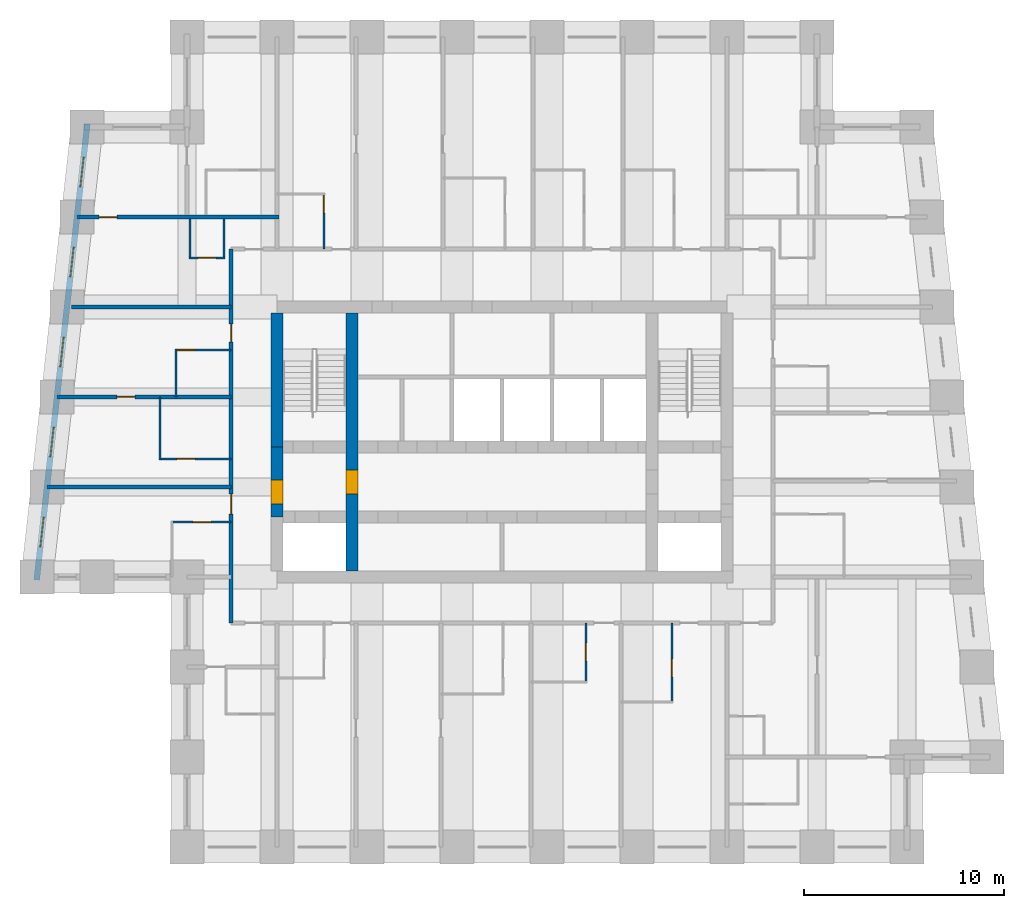
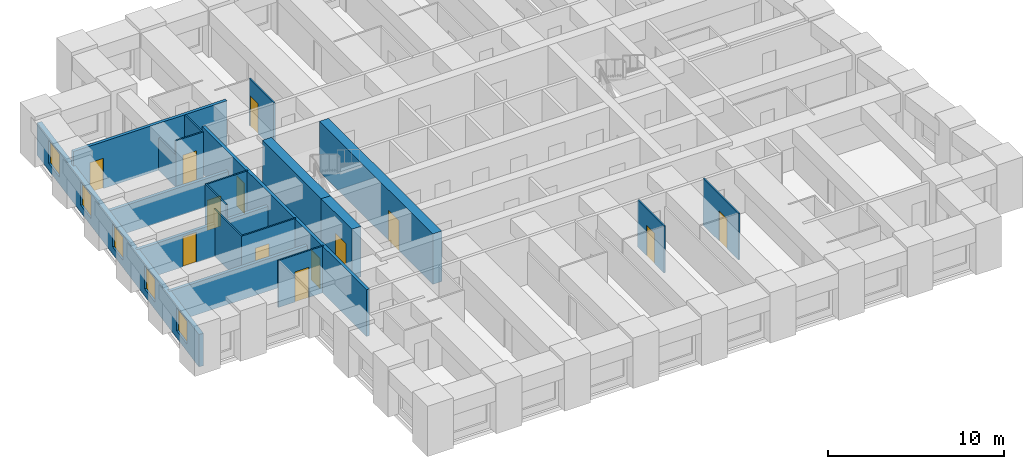
# One storey, part 3 of 8: 20 walls, 13 doors, 5 windows, 18 openings.
"""IFC4 building model written with IfcOpenShell, lengths in metres."""

from ifc_helpers import new_model, si_unit, direction, frame, frame_2d, origin, place, context, subcontext, project, spatial, rectangle, extrude, material, layer, layer_set, type_object, element, fill, save


model = new_model("IFC4")

# Units and contexts
model_context = context("Model", 3, precision=1e-05, world=origin(), true_north=direction((0.0, 1.0)))
body_context = subcontext(model_context, "Body", "Model", "MODEL_VIEW")
ifc_project = project(units=[si_unit("LENGTHUNIT", "METRE"), si_unit("AREAUNIT", "SQUARE_METRE"), si_unit("VOLUMEUNIT", "CUBIC_METRE"), si_unit("PLANEANGLEUNIT", "RADIAN"), si_unit("MASSUNIT", "GRAM", prefix="KILO")], contexts=[model_context])

# Site, building, storey
site_placement = place(None, origin())
site = spatial("IfcSite", under=ifc_project, at=site_placement, CompositionType="ELEMENT")
building_placement = place(site_placement, origin())
building = spatial("IfcBuilding", under=site, at=building_placement, Name="Kilele Tower Hotel", CompositionType="ELEMENT")
storey_placement = place(building_placement, frame((0.0, 0.0, 172.89990234375)))
storey = spatial("IfcBuildingStorey", under=building, at=storey_placement, Name="L44", CompositionType="ELEMENT", Elevation=172.89990234375)

# Wall, opening, door
ifc_material_1 = material(Name="Moisture-resistant board")
ifc_layer_1 = layer(ifc_material_1, 0.10009765625)
ifc_layer_set_1 = layer_set([ifc_layer_1], Name="Moisture-resistant board")
wall_type_1 = type_object("IfcWallType", Name="Bathroom partition 100", PredefinedType="PLUMBINGWALL", material=ifc_layer_set_1)
wall_1_placement = place(storey_placement, frame((28.949951171875, 11.199951171875, 0.0), z_axis=(0.0, 0.0, 1.0), x_axis=(0.0, -1.0, 0.0)))
wall_1 = element("IfcWall", 1, at=wall_1_placement, inside=storey, type_object=wall_type_1, Name="Bathroom partition 100 L44", PredefinedType="PLUMBINGWALL", context=body_context, shape_type="SweptSolid", body=[
    extrude(rectangle(XDim=3.0, YDim=0.10009765625, at=frame_2d((1.5, 0.0))), origin(), (0.0, 0.0, 1.0), 3.25),
])
opening_1_placement = place(wall_1_placement, frame((1.0, 0.0, 0.0)))
opening_1 = element("IfcOpeningElement", 2, at=opening_1_placement, cuts=wall_1, Name="Opening D2A", PredefinedType="OPENING", context=body_context, shape_type="SweptSolid", body=[
    extrude(rectangle(XDim=0.89990234375, YDim=2.10009765625, at=frame_2d((0.449951171875, 1.050048828125))), frame((0.0, 0.06005859375, 0.0), z_axis=(0.0, -1.0, 0.0), x_axis=(1.0, 0.0, 0.0)), (0.0, 0.0, 1.0), 0.1201171875),
])
ifc_material_2 = material(Name="Timber door leaf in hardwood frame", Category="wood")
door_type_1 = type_object("IfcDoorType", Name="Bathroom door 900", OperationType="SINGLE_SWING_LEFT", PredefinedType="DOOR", material=ifc_material_2)
door_1_placement = place(opening_1_placement, origin())
door_1 = element("IfcDoor", 3, at=door_1_placement, inside=storey, type_object=door_type_1, Name="Bathroom door 4404B", OperationType="SINGLE_SWING_LEFT", OverallHeight=2.10009765625, OverallWidth=0.89990234375, PredefinedType="DOOR", context=body_context, shape_type="SweptSolid", body=[
    extrude(rectangle(XDim=0.89990234375, YDim=2.10009765625, at=frame_2d((0.449951171875, 1.050048828125))), frame((0.0, 0.02490234375, 0.0), z_axis=(0.0, -1.0, 0.0), x_axis=(1.0, 0.0, 0.0)), (0.0, 0.0, 1.0), 0.050048828125),
])
fill(opening_1, door_1)

wall_2_placement = place(storey_placement, frame((33.25, 11.199951171875, 0.0), z_axis=(0.0, 0.0, 1.0), x_axis=(0.0, -1.0, 0.0)))
wall_2 = element("IfcWall", 4, at=wall_2_placement, inside=storey, type_object=wall_type_1, Name="Bathroom partition 100 L44", PredefinedType="PLUMBINGWALL", context=body_context, shape_type="SweptSolid", body=[
    extrude(rectangle(XDim=4.0, YDim=0.10009765625, at=frame_2d((2.0, 0.0))), origin(), (0.0, 0.0, 1.0), 3.25),
])
opening_2_placement = place(wall_2_placement, frame((1.800048828125, 0.0, 0.0)))
opening_2 = element("IfcOpeningElement", 5, at=opening_2_placement, cuts=wall_2, Name="Opening D2A", PredefinedType="OPENING", context=body_context, shape_type="SweptSolid", body=[
    extrude(rectangle(XDim=0.89990234375, YDim=2.10009765625, at=frame_2d((0.449951171875, 1.050048828125))), frame((0.0, 0.06005859375, 0.0), z_axis=(0.0, -1.0, 0.0), x_axis=(1.0, 0.0, 0.0)), (0.0, 0.0, 1.0), 0.1201171875),
])
door_2_placement = place(opening_2_placement, origin())
door_2 = element("IfcDoor", 6, at=door_2_placement, inside=storey, type_object=door_type_1, Name="Bathroom door 4405B", OperationType="SINGLE_SWING_RIGHT", OverallHeight=2.10009765625, OverallWidth=0.89990234375, PredefinedType="DOOR", context=body_context, shape_type="SweptSolid", body=[
    extrude(rectangle(XDim=0.89990234375, YDim=2.10009765625, at=frame_2d((0.449951171875, 1.050048828125))), frame((0.0, 0.02490234375, 0.0), z_axis=(0.0, -1.0, 0.0), x_axis=(1.0, 0.0, 0.0)), (0.0, 0.0, 1.0), 0.050048828125),
])
fill(opening_2, door_2)

wall_3_placement = place(storey_placement, frame((15.85009765625, 29.89990234375, 0.0), z_axis=(0.0, 0.0, 1.0), x_axis=(0.0, 1.0, 0.0)))
wall_3 = element("IfcWall", 7, at=wall_3_placement, inside=storey, type_object=wall_type_1, Name="Bathroom partition 100 L44", PredefinedType="PLUMBINGWALL", context=body_context, shape_type="SweptSolid", body=[
    extrude(rectangle(XDim=2.800048828125, YDim=0.10009765625, at=frame_2d((1.39990234375, 0.0))), origin(), (0.0, 0.0, 1.0), 3.25),
])
opening_3_placement = place(wall_3_placement, frame((2.699951171875, 0.0, 0.0), z_axis=(0.0, 0.0, 1.0), x_axis=(-1.0, 0.0, 0.0)))
opening_3 = element("IfcOpeningElement", 8, at=opening_3_placement, cuts=wall_3, Name="Opening D2A", PredefinedType="OPENING", context=body_context, shape_type="SweptSolid", body=[
    extrude(rectangle(XDim=0.89990234375, YDim=2.10009765625, at=frame_2d((0.449951171875, 1.050048828125))), frame((0.0, 0.06005859375, 0.0), z_axis=(0.0, -1.0, 0.0), x_axis=(1.0, 0.0, 0.0)), (0.0, 0.0, 1.0), 0.1201171875),
])
door_3_placement = place(opening_3_placement, origin())
door_3 = element("IfcDoor", 9, at=door_3_placement, inside=storey, type_object=door_type_1, Name="Bathroom door 4409B", OperationType="SINGLE_SWING_LEFT", OverallHeight=2.10009765625, OverallWidth=0.89990234375, PredefinedType="DOOR", context=body_context, shape_type="SweptSolid", body=[
    extrude(rectangle(XDim=0.89990234375, YDim=2.10009765625, at=frame_2d((0.449951171875, 1.050048828125))), frame((0.0, 0.02490234375, 0.0), z_axis=(0.0, -1.0, 0.0), x_axis=(1.0, 0.0, 0.0)), (0.0, 0.0, 1.0), 0.050048828125),
])
fill(opening_3, door_3)

wall_4_placement = place(storey_placement, frame((11.199951171875, 16.25, 0.0), z_axis=(0.0, 0.0, 1.0), x_axis=(-1.0, 0.0, 0.0)))
wall_4 = element("IfcWall", 10, at=wall_4_placement, inside=storey, type_object=wall_type_1, Name="Bathroom partition 100 L44", PredefinedType="PLUMBINGWALL", context=body_context, shape_type="SweptSolid", body=[
    extrude(rectangle(XDim=3.0, YDim=0.10009765625, at=frame_2d((1.5, 0.0))), origin(), (0.0, 0.0, 1.0), 3.25),
])
opening_4_placement = place(wall_4_placement, frame((1.89990234375, 0.0, 0.0), z_axis=(0.0, 0.0, 1.0), x_axis=(-1.0, 0.0, 0.0)))
opening_4 = element("IfcOpeningElement", 11, at=opening_4_placement, cuts=wall_4, Name="Opening D2A", PredefinedType="OPENING", context=body_context, shape_type="SweptSolid", body=[
    extrude(rectangle(XDim=0.89990234375, YDim=2.10009765625, at=frame_2d((0.449951171875, 1.050048828125))), frame((0.0, 0.06005859375, 0.0), z_axis=(0.0, -1.0, 0.0), x_axis=(1.0, 0.0, 0.0)), (0.0, 0.0, 1.0), 0.1201171875),
])
door_4_placement = place(opening_4_placement, origin())
door_4 = element("IfcDoor", 12, at=door_4_placement, inside=storey, type_object=door_type_1, Name="Bathroom door 4414B", OperationType="SINGLE_SWING_RIGHT", OverallHeight=2.10009765625, OverallWidth=0.89990234375, PredefinedType="DOOR", context=body_context, shape_type="SweptSolid", body=[
    extrude(rectangle(XDim=0.89990234375, YDim=2.10009765625, at=frame_2d((0.449951171875, 1.050048828125))), frame((0.0, 0.02490234375, 0.0), z_axis=(0.0, -1.0, 0.0), x_axis=(1.0, 0.0, 0.0)), (0.0, 0.0, 1.0), 0.050048828125),
])
fill(opening_4, door_4)

# Wall
wall_5_placement = place(storey_placement, frame((7.64990234375, 19.35009765625, 0.0), z_axis=(0.0, 0.0, 1.0), x_axis=(0.0, 1.0, 0.0)))
element("IfcWall", 13, at=wall_5_placement, inside=storey, type_object=wall_type_1, Name="Bathroom partition 100 L44", PredefinedType="PLUMBINGWALL", context=body_context, shape_type="SweptSolid", body=[
    extrude(rectangle(XDim=3.14990234375, YDim=0.10009765625, at=frame_2d((1.574951171875, 0.0))), origin(), (0.0, 0.0, 1.0), 3.25),
])

# Wall, opening, door
wall_6_placement = place(storey_placement, frame((11.199951171875, 19.39990234375, 0.0), z_axis=(0.0, 0.0, 1.0), x_axis=(-1.0, 0.0, 0.0)))
wall_6 = element("IfcWall", 14, at=wall_6_placement, inside=storey, type_object=wall_type_1, Name="Bathroom partition 100 L44", PredefinedType="PLUMBINGWALL", context=body_context, shape_type="SweptSolid", body=[
    extrude(rectangle(XDim=3.599853515625, YDim=0.10009765625, at=frame_2d((1.7998046875, 0.0))), origin(), (0.0, 0.0, 1.0), 3.25),
])
opening_5_placement = place(wall_6_placement, frame((1.800048828125, 0.0, 0.0)))
opening_5 = element("IfcOpeningElement", 15, at=opening_5_placement, cuts=wall_6, Name="Opening D2A", PredefinedType="OPENING", context=body_context, shape_type="SweptSolid", body=[
    extrude(rectangle(XDim=0.89990234375, YDim=2.10009765625, at=frame_2d((0.449951171875, 1.050048828125))), frame((0.0, 0.06005859375, 0.0), z_axis=(0.0, -1.0, 0.0), x_axis=(1.0, 0.0, 0.0)), (0.0, 0.0, 1.0), 0.1201171875),
])
door_5_placement = place(opening_5_placement, origin())
door_5 = element("IfcDoor", 16, at=door_5_placement, inside=storey, type_object=door_type_1, Name="Bathroom door 4415B", OperationType="SINGLE_SWING_RIGHT", OverallHeight=2.10009765625, OverallWidth=0.89990234375, PredefinedType="DOOR", context=body_context, shape_type="SweptSolid", body=[
    extrude(rectangle(XDim=0.89990234375, YDim=2.10009765625, at=frame_2d((0.449951171875, 1.050048828125))), frame((0.0, 0.02490234375, 0.0), z_axis=(0.0, -1.0, 0.0), x_axis=(1.0, 0.0, 0.0)), (0.0, 0.0, 1.0), 0.050048828125),
])
fill(opening_5, door_5)

# Wall
wall_7_placement = place(storey_placement, frame((8.449951171875, 22.5, 0.0), z_axis=(0.0, 0.0, 1.0), x_axis=(0.0, 1.0, 0.0)))
element("IfcWall", 17, at=wall_7_placement, inside=storey, type_object=wall_type_1, Name="Bathroom partition 100 L44", PredefinedType="PLUMBINGWALL", context=body_context, shape_type="SweptSolid", body=[
    extrude(rectangle(XDim=2.39990234375, YDim=0.10009765625, at=frame_2d((1.199951171875, 0.0))), origin(), (0.0, 0.0, 1.0), 3.25),
])

# Wall, opening, door
wall_8_placement = place(storey_placement, frame((11.199951171875, 24.85009765625, 0.0), z_axis=(0.0, 0.0, 1.0), x_axis=(-1.0, 0.0, 0.0)))
wall_8 = element("IfcWall", 18, at=wall_8_placement, inside=storey, type_object=wall_type_1, Name="Bathroom partition 100 L44", PredefinedType="PLUMBINGWALL", context=body_context, shape_type="SweptSolid", body=[
    extrude(rectangle(XDim=2.800048828125, YDim=0.10009765625, at=frame_2d((1.39990234375, 0.0))), origin(), (0.0, 0.0, 1.0), 3.25),
])
opening_6_placement = place(wall_8_placement, frame((2.699951171875, 0.0, 0.0), z_axis=(0.0, 0.0, 1.0), x_axis=(-1.0, 0.0, 0.0)))
opening_6 = element("IfcOpeningElement", 19, at=opening_6_placement, cuts=wall_8, Name="Opening D2A", PredefinedType="OPENING", context=body_context, shape_type="SweptSolid", body=[
    extrude(rectangle(XDim=0.89990234375, YDim=2.10009765625, at=frame_2d((0.449951171875, 1.050048828125))), frame((0.0, 0.06005859375, 0.0), z_axis=(0.0, -1.0, 0.0), x_axis=(1.0, 0.0, 0.0)), (0.0, 0.0, 1.0), 0.1201171875),
])
door_6_placement = place(opening_6_placement, origin())
door_6 = element("IfcDoor", 20, at=door_6_placement, inside=storey, type_object=door_type_1, Name="Bathroom door 4416B", OperationType="SINGLE_SWING_LEFT", OverallHeight=2.10009765625, OverallWidth=0.89990234375, PredefinedType="DOOR", context=body_context, shape_type="SweptSolid", body=[
    extrude(rectangle(XDim=0.89990234375, YDim=2.10009765625, at=frame_2d((0.449951171875, 1.050048828125))), frame((0.0, 0.02490234375, 0.0), z_axis=(0.0, -1.0, 0.0), x_axis=(1.0, 0.0, 0.0)), (0.0, 0.0, 1.0), 0.050048828125),
])
fill(opening_6, door_6)

# Walls
wall_9_placement = place(storey_placement, frame((9.14990234375, 31.39990234375, 0.0), z_axis=(0.0, 0.0, 1.0), x_axis=(0.0, -1.0, 0.0)))
element("IfcWall", 21, at=wall_9_placement, inside=storey, type_object=wall_type_1, Name="Bathroom partition 100 L44", PredefinedType="PLUMBINGWALL", context=body_context, shape_type="SweptSolid", body=[
    extrude(rectangle(XDim=2.0, YDim=0.10009765625, at=frame_2d((1.0, 0.0))), origin(), (0.0, 0.0, 1.0), 2.25),
])
wall_10_placement = place(storey_placement, frame((10.85009765625, 31.39990234375, 0.0), z_axis=(0.0, 0.0, 1.0), x_axis=(0.0, -1.0, 0.0)))
element("IfcWall", 22, at=wall_10_placement, inside=storey, type_object=wall_type_1, Name="Bathroom partition 100 L44", PredefinedType="PLUMBINGWALL", context=body_context, shape_type="SweptSolid", body=[
    extrude(rectangle(XDim=2.0, YDim=0.10009765625, at=frame_2d((1.0, 0.0))), origin(), (0.0, 0.0, 1.0), 3.25),
])

# Wall, opening, door
wall_11_placement = place(storey_placement, frame((10.89990234375, 29.449951171875, 0.0), z_axis=(0.0, 0.0, 1.0), x_axis=(-1.0, 0.0, 0.0)))
wall_11 = element("IfcWall", 23, at=wall_11_placement, inside=storey, type_object=wall_type_1, Name="Bathroom partition 100 L44", PredefinedType="PLUMBINGWALL", context=body_context, shape_type="SweptSolid", body=[
    extrude(rectangle(XDim=1.7998046875, YDim=0.10009765625, at=frame_2d((0.89990234375, 0.0))), origin(), (0.0, 0.0, 1.0), 3.25),
])
opening_7_placement = place(wall_11_placement, frame((0.449951171875, 0.0, 0.0)))
opening_7 = element("IfcOpeningElement", 24, at=opening_7_placement, cuts=wall_11, Name="Opening D2A", PredefinedType="OPENING", context=body_context, shape_type="SweptSolid", body=[
    extrude(rectangle(XDim=0.89990234375, YDim=2.10009765625, at=frame_2d((0.449951171875, 1.050048828125))), frame((0.0, 0.06005859375, 0.0), z_axis=(0.0, -1.0, 0.0), x_axis=(1.0, 0.0, 0.0)), (0.0, 0.0, 1.0), 0.1201171875),
])
door_7_placement = place(opening_7_placement, origin())
door_7 = element("IfcDoor", 25, at=door_7_placement, inside=storey, type_object=door_type_1, Name="Bathroom door 4425P", OperationType="SINGLE_SWING_LEFT", OverallHeight=2.10009765625, OverallWidth=0.89990234375, PredefinedType="DOOR", context=body_context, shape_type="SweptSolid", body=[
    extrude(rectangle(XDim=0.89990234375, YDim=2.10009765625, at=frame_2d((0.449951171875, 1.050048828125))), frame((0.0, 0.02490234375, 0.0), z_axis=(0.0, -1.0, 0.0), x_axis=(1.0, 0.0, 0.0)), (0.0, 0.0, 1.0), 0.050048828125),
])
fill(opening_7, door_7)

ifc_material_3 = material(Name="Concrete C70/85", Category="concrete")
ifc_layer_2 = layer(ifc_material_3, 0.60009765625)
ifc_layer_set_2 = layer_set([ifc_layer_2], Name="Concrete C70/85")
wall_type_2 = type_object("IfcWallType", Name="Core wall 600 C70/85", PredefinedType="SHEAR", material=ifc_layer_set_2)
wall_12_placement = place(storey_placement, frame((17.25, 13.800048828125, 0.0), z_axis=(0.0, 0.0, 1.0), x_axis=(0.0, 1.0, 0.0)))
wall_12 = element("IfcWall", 26, at=wall_12_placement, inside=storey, type_object=wall_type_2, Name="Core wall IW L44", PredefinedType="SHEAR", context=body_context, shape_type="SweptSolid", body=[
    extrude(rectangle(XDim=12.89990234375, YDim=0.60009765625, at=frame_2d((6.449951171875, 0.0))), origin(), (0.0, 0.0, 1.0), 3.5),
])
opening_8_placement = place(wall_12_placement, frame((3.85009765625, 0.0, 0.0)))
opening_8 = element("IfcOpeningElement", 27, at=opening_8_placement, cuts=wall_12, Name="Opening D4", PredefinedType="OPENING", context=body_context, shape_type="SweptSolid", body=[
    extrude(rectangle(XDim=1.199951171875, YDim=2.10009765625, at=frame_2d((0.60009765625, 1.050048828125))), frame((0.0, 0.31005859375, 0.0), z_axis=(0.0, -1.0, 0.0), x_axis=(1.0, 0.0, 0.0)), (0.0, 0.0, 1.0), 0.6201171875),
])
ifc_material_4 = material(Name="Timber door leaf in hardwood frame", Category="wood")
door_type_2 = type_object("IfcDoorType", Name="Firefighting lobby door 1200", OperationType="SINGLE_SWING_LEFT", PredefinedType="DOOR", material=ifc_material_4)
door_8_placement = place(opening_8_placement, origin())
door_8 = element("IfcDoor", 28, at=door_8_placement, inside=storey, type_object=door_type_2, Name="Lobby door L44", OperationType="SINGLE_SWING_LEFT", OverallHeight=2.10009765625, OverallWidth=1.199951171875, PredefinedType="DOOR", context=body_context, shape_type="SweptSolid", body=[
    extrude(rectangle(XDim=1.199951171875, YDim=2.10009765625, at=frame_2d((0.60009765625, 1.050048828125))), frame((0.0, 0.2998046875, 0.0), z_axis=(0.0, -1.0, 0.0), x_axis=(1.0, 0.0, 0.0)), (0.0, 0.0, 1.0), 0.599609375),
])
fill(opening_8, door_8)

# Wall
wall_13_placement = place(storey_placement, frame((13.5, 26.699951171875, 0.0), z_axis=(0.0, 0.0, 1.0), x_axis=(0.0, -1.0, 0.0)))
element("IfcWall", 29, at=wall_13_placement, inside=storey, type_object=wall_type_2, Name="Core wall W1 L44", PredefinedType="SHEAR", context=body_context, shape_type="SweptSolid", body=[
    extrude(rectangle(XDim=6.699951171875, YDim=0.60009765625, at=frame_2d((3.35009765625, 0.0))), origin(), (0.0, 0.0, 1.0), 3.5),
])

# Wall, opening, door
wall_14_placement = place(storey_placement, frame((13.5, 20.0, 0.0), z_axis=(0.0, 0.0, 1.0), x_axis=(0.0, -1.0, 0.0)))
wall_14 = element("IfcWall", 30, at=wall_14_placement, inside=storey, type_object=wall_type_2, Name="Core wall W2 L44", PredefinedType="SHEAR", context=body_context, shape_type="SweptSolid", body=[
    extrude(rectangle(XDim=3.5, YDim=0.60009765625, at=frame_2d((1.75, 0.0))), origin(), (0.0, 0.0, 1.0), 3.5),
])
opening_9_placement = place(wall_14_placement, frame((1.64990234375, 0.0, 0.0)))
opening_9 = element("IfcOpeningElement", 31, at=opening_9_placement, cuts=wall_14, Name="Opening D4", PredefinedType="OPENING", context=body_context, shape_type="SweptSolid", body=[
    extrude(rectangle(XDim=1.199951171875, YDim=2.10009765625, at=frame_2d((0.60009765625, 1.050048828125))), frame((0.0, 0.31005859375, 0.0), z_axis=(0.0, -1.0, 0.0), x_axis=(1.0, 0.0, 0.0)), (0.0, 0.0, 1.0), 0.6201171875),
])
door_9_placement = place(opening_9_placement, origin())
door_9 = element("IfcDoor", 32, at=door_9_placement, inside=storey, type_object=door_type_2, Name="Lobby door L44", OperationType="SINGLE_SWING_RIGHT", OverallHeight=2.10009765625, OverallWidth=1.199951171875, PredefinedType="DOOR", context=body_context, shape_type="SweptSolid", body=[
    extrude(rectangle(XDim=1.199951171875, YDim=2.10009765625, at=frame_2d((0.60009765625, 1.050048828125))), frame((0.0, 0.2998046875, 0.0), z_axis=(0.0, -1.0, 0.0), x_axis=(1.0, 0.0, 0.0)), (0.0, 0.0, 1.0), 0.599609375),
])
fill(opening_9, door_9)

# Wall, openings, doors
ifc_material_5 = material(Name="Blockwork, plastered both sides", Category="masonry")
ifc_layer_3 = layer(ifc_material_5, 0.199951171875)
ifc_layer_set_3 = layer_set([ifc_layer_3], Name="Blockwork, plastered both sides")
wall_type_3 = type_object("IfcWallType", Name="Corridor wall 200", PredefinedType="PARTITIONING", material=ifc_layer_set_3)
wall_15_placement = place(storey_placement, frame((11.199951171875, 11.199951171875, 0.0), z_axis=(0.0, 0.0, 1.0), x_axis=(0.0, 1.0, 0.0)))
wall_15 = element("IfcWall", 33, at=wall_15_placement, inside=storey, type_object=wall_type_3, Name="Corridor wall 200 L44", PredefinedType="PARTITIONING", context=body_context, shape_type="SweptSolid", body=[
    extrude(rectangle(XDim=18.699951171875, YDim=0.199951171875, at=frame_2d((9.35009765625, 0.0))), origin(), (0.0, 0.0, 1.0), 3.25),
])
opening_10_placement = place(wall_15_placement, frame((5.449951171875, 0.0, 0.0)))
opening_10 = element("IfcOpeningElement", 34, at=opening_10_placement, cuts=wall_15, Name="Opening D8", PredefinedType="OPENING", context=body_context, shape_type="SweptSolid", body=[
    extrude(rectangle(XDim=1.0, YDim=2.10009765625, at=frame_2d((0.5, 1.050048828125))), frame((0.0, 0.10986328125, 0.0), z_axis=(0.0, -1.0, 0.0), x_axis=(1.0, 0.0, 0.0)), (0.0, 0.0, 1.0), 0.219970703125),
])
opening_11_placement = place(wall_15_placement, frame((14.050048828125, 0.0, 0.0)))
opening_11 = element("IfcOpeningElement", 35, at=opening_11_placement, cuts=wall_15, Name="Opening D1", PredefinedType="OPENING", context=body_context, shape_type="SweptSolid", body=[
    extrude(rectangle(XDim=0.89990234375, YDim=2.10009765625, at=frame_2d((0.449951171875, 1.050048828125))), frame((0.0, 0.10986328125, 0.0), z_axis=(0.0, -1.0, 0.0), x_axis=(1.0, 0.0, 0.0)), (0.0, 0.0, 1.0), 0.219970703125),
])
ifc_material_6 = material(Name="Timber door leaf in hardwood frame", Category="wood")
door_type_3 = type_object("IfcDoorType", Name="Door 1000", OperationType="SINGLE_SWING_LEFT", PredefinedType="DOOR", material=ifc_material_6)
door_10_placement = place(opening_10_placement, origin())
door_10 = element("IfcDoor", 36, at=door_10_placement, inside=storey, type_object=door_type_3, Name="Room entrance 4414", OperationType="SINGLE_SWING_LEFT", OverallHeight=2.10009765625, OverallWidth=1.0, PredefinedType="DOOR", context=body_context, shape_type="SweptSolid", body=[
    extrude(rectangle(XDim=1.0, YDim=2.10009765625, at=frame_2d((0.5, 1.050048828125))), frame((0.0, 0.02490234375, 0.0), z_axis=(0.0, -1.0, 0.0), x_axis=(1.0, 0.0, 0.0)), (0.0, 0.0, 1.0), 0.050048828125),
])
fill(opening_10, door_10)
ifc_material_7 = material(Name="Timber door leaf in hardwood frame", Category="wood")
door_type_4 = type_object("IfcDoorType", Name="Guest room entrance door 900", OperationType="SINGLE_SWING_LEFT", PredefinedType="DOOR", material=ifc_material_7)
door_11_placement = place(opening_11_placement, origin())
door_11 = element("IfcDoor", 37, at=door_11_placement, inside=storey, type_object=door_type_4, Name="Room entrance 4416", OperationType="SINGLE_SWING_LEFT", OverallHeight=2.10009765625, OverallWidth=0.89990234375, PredefinedType="DOOR", context=body_context, shape_type="SweptSolid", body=[
    extrude(rectangle(XDim=0.89990234375, YDim=2.10009765625, at=frame_2d((0.449951171875, 1.050048828125))), frame((0.0, 0.02490234375, 0.0), z_axis=(0.0, -1.0, 0.0), x_axis=(1.0, 0.0, 0.0)), (0.0, 0.0, 1.0), 0.050048828125),
])
fill(opening_11, door_11)

# Wall
ifc_material_8 = material(Name="Blockwork, plastered both sides", Category="masonry")
ifc_layer_4 = layer(ifc_material_8, 0.199951171875)
ifc_layer_set_4 = layer_set([ifc_layer_4], Name="Blockwork, plastered both sides")
wall_type_4 = type_object("IfcWallType", Name="Party wall 200", PredefinedType="PARTITIONING", material=ifc_layer_set_4)
wall_16_placement = place(storey_placement, frame((11.199951171875, 18.0, 0.0), z_axis=(0.0, 0.0, 1.0), x_axis=(-1.0, 0.0, 0.0)))
element("IfcWall", 38, at=wall_16_placement, inside=storey, type_object=wall_type_4, Name="Party wall 200 L44", PredefinedType="PARTITIONING", context=body_context, shape_type="SweptSolid", body=[
    extrude(rectangle(XDim=9.198974609375, YDim=0.199951171875, at=frame_2d((4.599609375, 0.0))), origin(), (0.0, 0.0, 1.0), 2.25),
])

# Wall, opening, door
wall_17_placement = place(storey_placement, frame((11.199951171875, 22.5, 0.0), z_axis=(0.0, 0.0, 1.0), x_axis=(-1.0, 0.0, 0.0)))
wall_17 = element("IfcWall", 39, at=wall_17_placement, inside=storey, type_object=wall_type_4, Name="Party wall 200 L44", PredefinedType="PARTITIONING", context=body_context, shape_type="SweptSolid", body=[
    extrude(rectangle(XDim=8.698974609375, YDim=0.199951171875, at=frame_2d((4.349609375, 0.0))), origin(), (0.0, 0.0, 1.0), 2.25),
])
opening_12_placement = place(wall_17_placement, frame((4.800048828125, 0.0, 0.0)))
opening_12 = element("IfcOpeningElement", 40, at=opening_12_placement, cuts=wall_17, Name="Opening D3", PredefinedType="OPENING", context=body_context, shape_type="SweptSolid", body=[
    extrude(rectangle(XDim=0.89990234375, YDim=2.10009765625, at=frame_2d((0.449951171875, 1.050048828125))), frame((0.0, 0.10986328125, 0.0), z_axis=(0.0, -1.0, 0.0), x_axis=(1.0, 0.0, 0.0)), (0.0, 0.0, 1.0), 0.219970703125),
])
ifc_material_9 = material(Name="Timber door leaf in hardwood frame", Category="wood")
door_type_5 = type_object("IfcDoorType", Name="Suite internal door 900", OperationType="SINGLE_SWING_LEFT", PredefinedType="DOOR", material=ifc_material_9)
door_12_placement = place(opening_12_placement, origin())
door_12 = element("IfcDoor", 41, at=door_12_placement, inside=storey, type_object=door_type_5, Name="Suite door 4416", OperationType="SINGLE_SWING_LEFT", OverallHeight=2.10009765625, OverallWidth=0.89990234375, PredefinedType="DOOR", context=body_context, shape_type="SweptSolid", body=[
    extrude(rectangle(XDim=0.89990234375, YDim=2.10009765625, at=frame_2d((0.449951171875, 1.050048828125))), frame((0.0, 0.02490234375, 0.0), z_axis=(0.0, -1.0, 0.0), x_axis=(1.0, 0.0, 0.0)), (0.0, 0.0, 1.0), 0.050048828125),
])
fill(opening_12, door_12)

# Wall
wall_18_placement = place(storey_placement, frame((11.199951171875, 27.0, 0.0), z_axis=(0.0, 0.0, 1.0), x_axis=(-1.0, 0.0, 0.0)))
element("IfcWall", 42, at=wall_18_placement, inside=storey, type_object=wall_type_4, Name="Party wall 200 L44", PredefinedType="PARTITIONING", context=body_context, shape_type="SweptSolid", body=[
    extrude(rectangle(XDim=7.976806640625, YDim=0.199951171875, at=frame_2d((3.98828125, 0.0))), origin(), (0.0, 0.0, 1.0), 1.9501953125),
])

# Wall, opening, door
wall_19_placement = place(storey_placement, frame((13.60009765625, 31.5, 0.0), z_axis=(0.0, 0.0, 1.0), x_axis=(-1.0, 0.0, 0.0)))
wall_19 = element("IfcWall", 43, at=wall_19_placement, inside=storey, type_object=wall_type_4, Name="Party wall 200 L44", PredefinedType="PARTITIONING", context=body_context, shape_type="SweptSolid", body=[
    extrude(rectangle(XDim=10.09912109375, YDim=0.199951171875, at=frame_2d((5.049560546875, 0.0))), origin(), (0.0, 0.0, 1.0), 3.25),
])
opening_13_placement = place(wall_19_placement, frame((8.9990234375, 0.0, 0.0), z_axis=(0.0, 0.0, 1.0), x_axis=(-1.0, 0.0, 0.0)))
opening_13 = element("IfcOpeningElement", 44, at=opening_13_placement, cuts=wall_19, Name="Opening D3", PredefinedType="OPENING", context=body_context, shape_type="SweptSolid", body=[
    extrude(rectangle(XDim=0.89990234375, YDim=2.10009765625, at=frame_2d((0.449951171875, 1.050048828125))), frame((0.0, 0.10986328125, 0.0), z_axis=(0.0, -1.0, 0.0), x_axis=(1.0, 0.0, 0.0)), (0.0, 0.0, 1.0), 0.219970703125),
])
door_13_placement = place(opening_13_placement, origin())
door_13 = element("IfcDoor", 45, at=door_13_placement, inside=storey, type_object=door_type_5, Name="Suite door 4426", OperationType="SINGLE_SWING_LEFT", OverallHeight=2.10009765625, OverallWidth=0.89990234375, PredefinedType="DOOR", context=body_context, shape_type="SweptSolid", body=[
    extrude(rectangle(XDim=0.89990234375, YDim=2.10009765625, at=frame_2d((0.449951171875, 1.050048828125))), frame((0.0, 0.02490234375, 0.0), z_axis=(0.0, -1.0, 0.0), x_axis=(1.0, 0.0, 0.0)), (0.0, 0.0, 1.0), 0.050048828125),
])
fill(opening_13, door_13)

# Wall, openings, windows
ifc_material_10 = material(Name="Concrete C40/50 precast", Category="concrete")
ifc_layer_5 = layer(ifc_material_10, 0.260009765625, Name="Precast backing", Category="LoadBearing")
ifc_material_11 = material(Name="Reconstituted stone finish", Category="masonry")
ifc_layer_6 = layer(ifc_material_11, 0.0400390625, Name="Face mix", Category="Finish")
ifc_layer_set_5 = layer_set([ifc_layer_5, ifc_layer_6], Name="Precast concrete C40/50, reconstituted stone finish")
wall_type_5 = type_object("IfcWallType", Name="Precast stone facade wall 300", PredefinedType="STANDARD", material=ifc_layer_set_5)
wall_20_placement = place(storey_placement, frame((4.0166015625, 36.149169921875, 0.0), z_axis=(0.0, 0.0, 1.0), x_axis=(-0.110433862387, -0.993883475081, 0.0)))
wall_20 = element("IfcWall", 46, at=wall_20_placement, inside=storey, type_object=wall_type_5, Name="Facade wall L44 edge 12", PredefinedType="STANDARD", context=body_context, shape_type="SweptSolid", body=[
    extrude(rectangle(XDim=22.938720703125, YDim=0.300048828125, at=frame_2d((11.46923828125, 0.0))), origin(), (0.0, 0.0, 1.0), 2.25),
])
opening_14_placement = place(wall_20_placement, frame((1.6640625, 0.0, 0.5)))
opening_14 = element("IfcOpeningElement", 47, at=opening_14_placement, cuts=wall_20, Name="Opening W3", PredefinedType="OPENING", context=body_context, shape_type="SweptSolid", body=[
    extrude(rectangle(XDim=1.5, YDim=1.60009765625, at=frame_2d((0.75, 0.800048828125))), frame((0.0, 0.159912109375, 0.0), z_axis=(0.0, -1.0, 0.0), x_axis=(1.0, 0.0, 0.0)), (0.0, 0.0, 1.0), 0.320068359375),
])
opening_15_placement = place(wall_20_placement, frame((6.19189453125, 0.0, 0.5)))
opening_15 = element("IfcOpeningElement", 48, at=opening_15_placement, cuts=wall_20, Name="Opening W3", PredefinedType="OPENING", context=body_context, shape_type="SweptSolid", body=[
    extrude(rectangle(XDim=1.5, YDim=1.60009765625, at=frame_2d((0.75, 0.800048828125))), frame((0.0, 0.159912109375, 0.0), z_axis=(0.0, -1.0, 0.0), x_axis=(1.0, 0.0, 0.0)), (0.0, 0.0, 1.0), 0.320068359375),
])
opening_16_placement = place(wall_20_placement, frame((10.718994140625, 0.0, 0.5)))
opening_16 = element("IfcOpeningElement", 49, at=opening_16_placement, cuts=wall_20, Name="Opening W3", PredefinedType="OPENING", context=body_context, shape_type="SweptSolid", body=[
    extrude(rectangle(XDim=1.5, YDim=1.60009765625, at=frame_2d((0.75, 0.800048828125))), frame((0.0, 0.159912109375, 0.0), z_axis=(0.0, -1.0, 0.0), x_axis=(1.0, 0.0, 0.0)), (0.0, 0.0, 1.0), 0.320068359375),
])
opening_17_placement = place(wall_20_placement, frame((15.2470703125, 0.0, 0.5)))
opening_17 = element("IfcOpeningElement", 50, at=opening_17_placement, cuts=wall_20, Name="Opening W3", PredefinedType="OPENING", context=body_context, shape_type="SweptSolid", body=[
    extrude(rectangle(XDim=1.5, YDim=1.60009765625, at=frame_2d((0.75, 0.800048828125))), frame((0.0, 0.159912109375, 0.0), z_axis=(0.0, -1.0, 0.0), x_axis=(1.0, 0.0, 0.0)), (0.0, 0.0, 1.0), 0.320068359375),
])
opening_18_placement = place(wall_20_placement, frame((19.77490234375, 0.0, 0.5)))
opening_18 = element("IfcOpeningElement", 51, at=opening_18_placement, cuts=wall_20, Name="Opening W3", PredefinedType="OPENING", context=body_context, shape_type="SweptSolid", body=[
    extrude(rectangle(XDim=1.5, YDim=1.60009765625, at=frame_2d((0.75, 0.800048828125))), frame((0.0, 0.159912109375, 0.0), z_axis=(0.0, -1.0, 0.0), x_axis=(1.0, 0.0, 0.0)), (0.0, 0.0, 1.0), 0.320068359375),
])
ifc_material_12 = material(Name="Aluminium frame, clear double glazing", Category="aluminium")
window_type = type_object("IfcWindowType", Name="Window W3 1500 x 1600", PartitioningType="SINGLE_PANEL", PredefinedType="WINDOW", material=ifc_material_12)
window_1_placement = place(opening_14_placement, origin())
window_1 = element("IfcWindow", 52, at=window_1_placement, inside=storey, type_object=window_type, Name="Window L44", OverallHeight=1.60009765625, OverallWidth=1.5, PartitioningType="SINGLE_PANEL", PredefinedType="WINDOW", context=body_context, shape_type="SweptSolid", body=[
    extrude(rectangle(XDim=1.5, YDim=1.60009765625, at=frame_2d((0.75, 0.800048828125))), frame((0.0, 0.030029296875, 0.0), z_axis=(0.0, -1.0, 0.0), x_axis=(1.0, 0.0, 0.0)), (0.0, 0.0, 1.0), 0.06005859375),
])
fill(opening_14, window_1)
window_2_placement = place(opening_15_placement, origin())
window_2 = element("IfcWindow", 53, at=window_2_placement, inside=storey, type_object=window_type, Name="Window L44", OverallHeight=1.60009765625, OverallWidth=1.5, PartitioningType="SINGLE_PANEL", PredefinedType="WINDOW", context=body_context, shape_type="SweptSolid", body=[
    extrude(rectangle(XDim=1.5, YDim=1.60009765625, at=frame_2d((0.75, 0.800048828125))), frame((0.0, 0.030029296875, 0.0), z_axis=(0.0, -1.0, 0.0), x_axis=(1.0, 0.0, 0.0)), (0.0, 0.0, 1.0), 0.06005859375),
])
fill(opening_15, window_2)
window_3_placement = place(opening_16_placement, origin())
window_3 = element("IfcWindow", 54, at=window_3_placement, inside=storey, type_object=window_type, Name="Window L44", OverallHeight=1.60009765625, OverallWidth=1.5, PartitioningType="SINGLE_PANEL", PredefinedType="WINDOW", context=body_context, shape_type="SweptSolid", body=[
    extrude(rectangle(XDim=1.5, YDim=1.60009765625, at=frame_2d((0.75, 0.800048828125))), frame((0.0, 0.030029296875, 0.0), z_axis=(0.0, -1.0, 0.0), x_axis=(1.0, 0.0, 0.0)), (0.0, 0.0, 1.0), 0.06005859375),
])
fill(opening_16, window_3)
window_4_placement = place(opening_17_placement, origin())
window_4 = element("IfcWindow", 55, at=window_4_placement, inside=storey, type_object=window_type, Name="Window L44", OverallHeight=1.60009765625, OverallWidth=1.5, PartitioningType="SINGLE_PANEL", PredefinedType="WINDOW", context=body_context, shape_type="SweptSolid", body=[
    extrude(rectangle(XDim=1.5, YDim=1.60009765625, at=frame_2d((0.75, 0.800048828125))), frame((0.0, 0.030029296875, 0.0), z_axis=(0.0, -1.0, 0.0), x_axis=(1.0, 0.0, 0.0)), (0.0, 0.0, 1.0), 0.06005859375),
])
fill(opening_17, window_4)
window_5_placement = place(opening_18_placement, origin())
window_5 = element("IfcWindow", 56, at=window_5_placement, inside=storey, type_object=window_type, Name="Window L44", OverallHeight=1.60009765625, OverallWidth=1.5, PartitioningType="SINGLE_PANEL", PredefinedType="WINDOW", context=body_context, shape_type="SweptSolid", body=[
    extrude(rectangle(XDim=1.5, YDim=1.60009765625, at=frame_2d((0.75, 0.800048828125))), frame((0.0, 0.030029296875, 0.0), z_axis=(0.0, -1.0, 0.0), x_axis=(1.0, 0.0, 0.0)), (0.0, 0.0, 1.0), 0.06005859375),
])
fill(opening_18, window_5)

save(model, "model.ifc")
